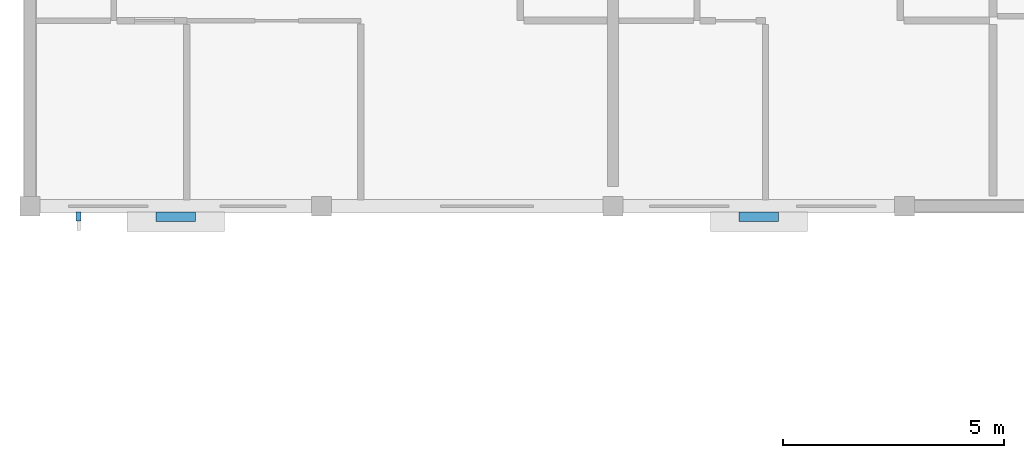
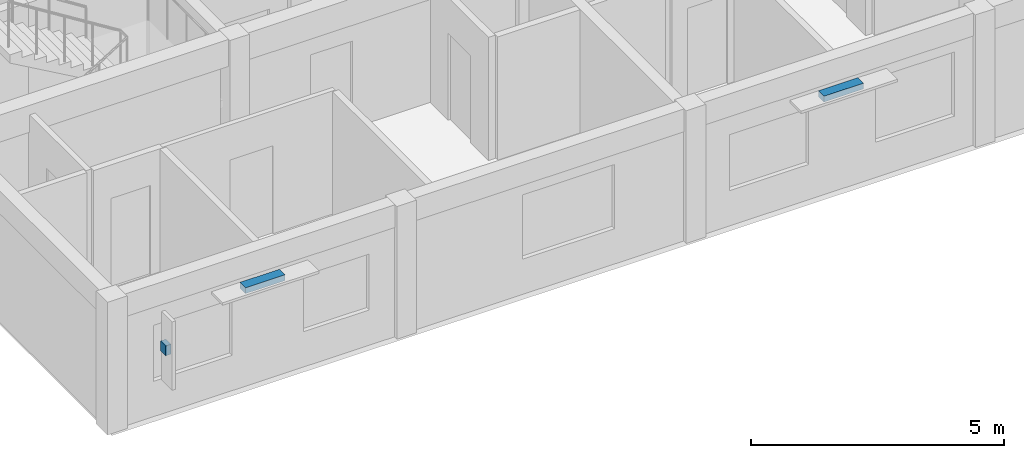
# One storey, part 29 of 37: 3 discrete accessories.
"""IFC4 building model written with IfcOpenShell, lengths in metres."""

from ifc_helpers import new_model, si_unit, direction, frame, origin, origin_2d, place, context, subcontext, project, spatial, rectangle, extrude, material, type_object, element, save


model = new_model("IFC4")

# Units and contexts
model_context = context("Model", 3, precision=1e-05, world=origin(), true_north=direction((0.0, 1.0)))
body_context = subcontext(model_context, "Body", "Model", "MODEL_VIEW")
ifc_project = project(units=[si_unit("LENGTHUNIT", "METRE"), si_unit("AREAUNIT", "SQUARE_METRE"), si_unit("VOLUMEUNIT", "CUBIC_METRE"), si_unit("PLANEANGLEUNIT", "RADIAN"), si_unit("MASSUNIT", "GRAM", prefix="KILO")], contexts=[model_context])

# Site, building, storey
site_placement = place(None, origin())
site = spatial("IfcSite", under=ifc_project, at=site_placement, CompositionType="ELEMENT")
building_placement = place(site_placement, origin())
building = spatial("IfcBuilding", under=site, at=building_placement, Name="Kernevlak Ridge Housing Community", CompositionType="ELEMENT")
storey_placement = place(building_placement, frame((0.0, 0.0, 37.199951171875)))
storey = spatial("IfcBuildingStorey", under=building, at=storey_placement, Name="L11", CompositionType="ELEMENT", Elevation=37.199951171875)

# Discrete accessories
ifc_material = material(Name="Steel S355 galvanised", Category="steel")
discrete_accessory_type = type_object("IfcDiscreteAccessoryType", Name="BK-01", PredefinedType="BRACKET", material=ifc_material)
discrete_accessory_1_placement = place(storey_placement, frame((18.89990234375, 75.760009765625, 2.41015625), z_axis=(0.0, 0.0, 1.0), x_axis=(1.0, 0.0, 0.0)))
element("IfcDiscreteAccessory", 1, at=discrete_accessory_1_placement, inside=storey, type_object=discrete_accessory_type, Name="Sunshade steel bracket 9", PredefinedType="BRACKET", context=body_context, shape_type="SweptSolid", body=[
    extrude(rectangle(XDim=0.89990234375, YDim=0.219970703125, at=origin_2d()), origin(), (0.0, 0.0, 1.0), 0.139892578125),
])
discrete_accessory_2_placement = place(storey_placement, frame((16.699951171875, 75.77001953125, 1.5302734375), z_axis=(0.0, 0.0, 1.0), x_axis=(1.0, 0.0, 0.0)))
element("IfcDiscreteAccessory", 2, at=discrete_accessory_2_placement, inside=storey, type_object=discrete_accessory_type, Name="Vertical fin fixing bracket 9", PredefinedType="BRACKET", context=body_context, shape_type="SweptSolid", body=[
    extrude(rectangle(XDim=0.1201171875, YDim=0.199951171875, at=origin_2d()), origin(), (0.0, 0.0, 1.0), 0.239990234375),
])
discrete_accessory_3_placement = place(storey_placement, frame((32.10009765625, 75.760009765625, 2.41015625), z_axis=(0.0, 0.0, 1.0), x_axis=(1.0, 0.0, 0.0)))
element("IfcDiscreteAccessory", 3, at=discrete_accessory_3_placement, inside=storey, type_object=discrete_accessory_type, Name="Sunshade steel bracket 10", PredefinedType="BRACKET", context=body_context, shape_type="SweptSolid", body=[
    extrude(rectangle(XDim=0.89990234375, YDim=0.219970703125, at=origin_2d()), origin(), (0.0, 0.0, 1.0), 0.139892578125),
])

save(model, "model.ifc")
